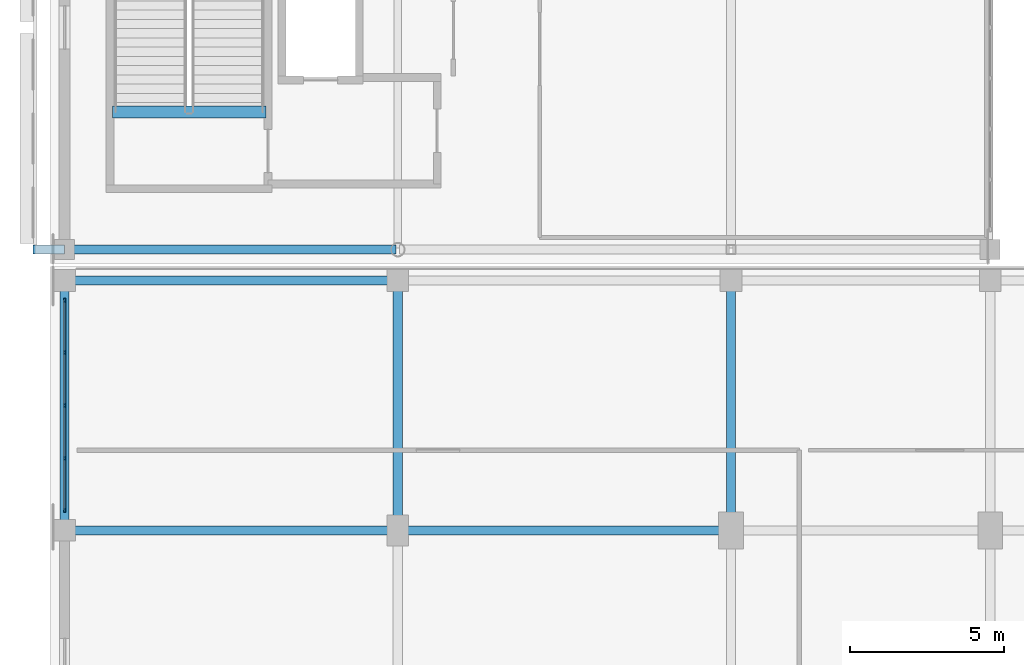
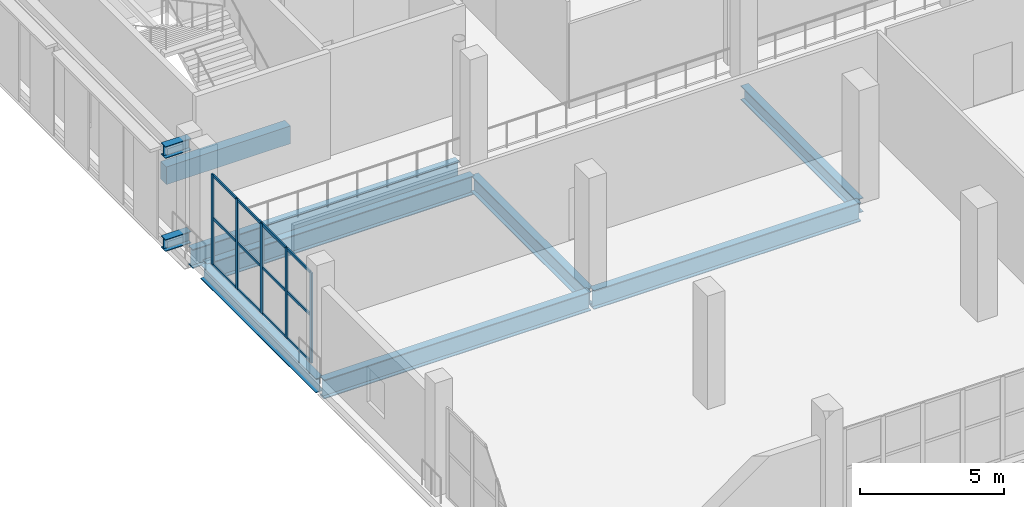
# One storey, part 13 of 104: 17 members, 10 beams, 1 element without a shape of its own.
"""IFC4 building model written with IfcOpenShell, lengths in metres."""

from ifc_helpers import new_model, si_unit, direction, frame, origin, origin_2d, place, context, subcontext, project, spatial, rectangle, i_section, extrude, material, material_profile, profile_set, type_object, element, aggregate, save


model = new_model("IFC4")

# Units and contexts
model_context = context("Model", 3, precision=1e-05, world=origin(), true_north=direction((0.0, 1.0)))
body_context = subcontext(model_context, "Body", "Model", "MODEL_VIEW")
ifc_project = project(units=[si_unit("LENGTHUNIT", "METRE"), si_unit("AREAUNIT", "SQUARE_METRE"), si_unit("VOLUMEUNIT", "CUBIC_METRE"), si_unit("PLANEANGLEUNIT", "RADIAN"), si_unit("MASSUNIT", "GRAM", prefix="KILO")], contexts=[model_context])

# Site, building, storey
site_placement = place(None, origin())
site = spatial("IfcSite", under=ifc_project, at=site_placement, CompositionType="ELEMENT")
building_placement = place(site_placement, origin())
building = spatial("IfcBuilding", under=site, at=building_placement, Name="Koshinbarg Plaza Stadium", CompositionType="ELEMENT")
storey_placement = place(building_placement, frame((0.0, 0.0, 19.800048828125)))
storey = spatial("IfcBuildingStorey", under=building, at=storey_placement, Name="L04", CompositionType="ELEMENT", Elevation=19.800048828125)

# Beams
ifc_material_1 = material(Name="Steel S355", Category="steel")
ifc_material_profile_1 = material_profile(ifc_material_1, i_section(OverallWidth=0.300048828125, OverallDepth=0.5, WebThickness=0.014404296875, FlangeThickness=0.028076171875, at=origin_2d()), Name="HEB 500")
ifc_profile_set_1 = profile_set([ifc_material_profile_1], Name="Steel S355")
beam_type_1 = type_object("IfcBeamType", Name="BM-CANOPY-CANT", PredefinedType="BEAM", material=ifc_profile_set_1)
for number, where, z_axis, x_axis, name in (
    (1, (24.60009765625, 25.5, 0.25), (-1.0, 0.0, 0.0), (0.0, -1.0, 0.0), "Outer screen cantilever outrigger W-L04-Y01"),
    (2, (24.60009765625, 25.5, 4.179931640625), (-1.0, 0.0, 0.0), (0.0, -1.0, 0.0), "Outer screen cantilever outrigger W-L04-Y01"),
):
    element("IfcBeam", number, at=place(storey_placement, frame(where, z_axis=z_axis, x_axis=x_axis)), inside=storey, type_object=beam_type_1, Name=name, PredefinedType="BEAM", context=body_context, shape_type="SweptSolid", body=[
        extrude(i_section(OverallWidth=0.300048828125, OverallDepth=0.5, WebThickness=0.014404296875, FlangeThickness=0.028076171875, at=origin_2d()), origin(), (0.0, 0.0, 1.0), 1.030029296875),
    ])
ifc_material_2 = material(Name="Concrete C40/50", Category="concrete")
ifc_material_profile_2 = material_profile(ifc_material_2, rectangle(XDim=0.39990234375, YDim=0.75, at=origin_2d()), Name="RC 400x750")
ifc_profile_set_2 = profile_set([ifc_material_profile_2], Name="Concrete C40/50")
beam_type_2 = type_object("IfcBeamType", Name="BM-RCG-03", PredefinedType="USERDEFINED", material=ifc_profile_set_2)
beam_1_placement = place(storey_placement, frame((26.14990234375, 29.9599609375, -0.375), z_axis=(1.0, 0.0, 0.0), x_axis=(0.0, 1.0, 0.0)))
element("IfcBeam", 3, at=beam_1_placement, inside=storey, type_object=beam_type_2, Name="L04 stair landing header beam C01", ObjectType="GIRDER", PredefinedType="USERDEFINED", context=body_context, shape_type="SweptSolid", body=[
    extrude(rectangle(XDim=0.39990234375, YDim=0.75, at=origin_2d()), origin(), (0.0, 0.0, 1.0), 4.97021484375),
])
ifc_material_profile_3 = material_profile(ifc_material_1, i_section(OverallWidth=0.300048828125, OverallDepth=0.60009765625, WebThickness=0.015380859375, FlangeThickness=0.030029296875, at=origin_2d()), Name="HEB 600")
ifc_profile_set_3 = profile_set([ifc_material_profile_3], Name="Steel S355")
beam_type_3 = type_object("IfcBeamType", Name="BM-SGIR-02", PredefinedType="USERDEFINED", material=ifc_profile_set_3)
for number, where, z_axis, x_axis, name in (
    (4, (24.60009765625, 16.4599609375, -0.60009765625), (0.0, 1.0, 0.0), (-1.0, 0.0, 0.0), "L04 Y girder 5/C-D"),
    (5, (46.199951171875, 16.4599609375, -0.60009765625), (0.0, 1.0, 0.0), (-1.0, 0.0, 0.0), "L04 Y girder 7/C-D"),
):
    element("IfcBeam", number, at=place(storey_placement, frame(where, z_axis=z_axis, x_axis=x_axis)), inside=storey, type_object=beam_type_3, Name=name, ObjectType="GIRDER", PredefinedType="USERDEFINED", context=body_context, shape_type="SweptSolid", body=[
        extrude(i_section(OverallWidth=0.300048828125, OverallDepth=0.60009765625, WebThickness=0.015380859375, FlangeThickness=0.030029296875, at=origin_2d()), origin(), (0.0, 0.0, 1.0), 7.97998046875),
    ])
ifc_material_profile_4 = material_profile(ifc_material_1, i_section(OverallWidth=0.300048828125, OverallDepth=0.699951171875, WebThickness=0.01708984375, FlangeThickness=0.031982421875, at=origin_2d()), Name="HEB 700")
ifc_profile_set_4 = profile_set([ifc_material_profile_4], Name="Steel S355")
beam_type_4 = type_object("IfcBeamType", Name="BM-SGIR-03", PredefinedType="USERDEFINED", material=ifc_profile_set_4)
beam_2_placement = place(storey_placement, frame((35.39990234375, 16.4599609375, -0.650146484375), z_axis=(0.0, 1.0, 0.0), x_axis=(-1.0, 0.0, 0.0)))
element("IfcBeam", 6, at=beam_2_placement, inside=storey, type_object=beam_type_4, Name="L04 Y girder 6/C-D", ObjectType="GIRDER", PredefinedType="USERDEFINED", context=body_context, shape_type="SweptSolid", body=[
    extrude(i_section(OverallWidth=0.300048828125, OverallDepth=0.699951171875, WebThickness=0.01708984375, FlangeThickness=0.031982421875, at=origin_2d()), origin(), (0.0, 0.0, 1.0), 7.97998046875),
])
ifc_material_profile_5 = material_profile(ifc_material_1, i_section(OverallWidth=0.300048828125, OverallDepth=0.800048828125, WebThickness=0.017578125, FlangeThickness=0.032958984375, at=origin_2d()), Name="HEB 800")
ifc_profile_set_5 = profile_set([ifc_material_profile_5], Name="Steel S355")
beam_type_5 = type_object("IfcBeamType", Name="BM-SGIR-04", PredefinedType="USERDEFINED", material=ifc_profile_set_5)
beam_3_placement = place(storey_placement, frame((24.659912109375, 16.39990234375, -0.699951171875), z_axis=(1.0, 0.0, 0.0), x_axis=(0.0, 1.0, 0.0)))
element("IfcBeam", 7, at=beam_3_placement, inside=storey, type_object=beam_type_5, Name="L04 X girder C/5-6", ObjectType="GIRDER", PredefinedType="USERDEFINED", context=body_context, shape_type="SweptSolid", body=[
    extrude(i_section(OverallWidth=0.300048828125, OverallDepth=0.800048828125, WebThickness=0.017578125, FlangeThickness=0.032958984375, at=origin_2d()), origin(), (0.0, 0.0, 1.0), 10.68017578125),
])
beam_4_placement = place(storey_placement, frame((35.4599609375, 16.39990234375, -0.699951171875), z_axis=(1.0, 0.0, 0.0), x_axis=(0.0, 1.0, 0.0)))
element("IfcBeam", 8, at=beam_4_placement, inside=storey, type_object=beam_type_5, Name="L04 X girder C/6-7", ObjectType="GIRDER", PredefinedType="USERDEFINED", context=body_context, shape_type="SweptSolid", body=[
    extrude(i_section(OverallWidth=0.300048828125, OverallDepth=0.800048828125, WebThickness=0.017578125, FlangeThickness=0.032958984375, at=origin_2d()), origin(), (0.0, 0.0, 1.0), 10.679931640625),
])
for number, where, z_axis, x_axis, name in (
    (9, (24.659912109375, 24.5, -0.699951171875), (1.0, 0.0, 0.0), (0.0, 1.0, 0.0), "L04 X girder D/5-6"),
    (10, (24.659912109375, 25.5, -0.699951171875), (1.0, 0.0, 0.0), (0.0, 1.0, 0.0), "L04 X girder E/5-6"),
):
    element("IfcBeam", number, at=place(storey_placement, frame(where, z_axis=z_axis, x_axis=x_axis)), inside=storey, type_object=beam_type_5, Name=name, ObjectType="GIRDER", PredefinedType="USERDEFINED", context=body_context, shape_type="SweptSolid", body=[
        extrude(i_section(OverallWidth=0.300048828125, OverallDepth=0.800048828125, WebThickness=0.017578125, FlangeThickness=0.032958984375, at=origin_2d()), origin(), (0.0, 0.0, 1.0), 10.68017578125),
    ])

# Curtain wall, members
ifc_material_3 = material(Name="Thermally broken anodised aluminium and low-E double glazing", Category="aluminium")
curtain_wall_type = type_object("IfcCurtainWallType", Name="CW-SYS-13", PredefinedType="NOTDEFINED", material=ifc_material_3)
curtain_wall_placement = place(storey_placement, origin())
curtain_wall = element("IfcCurtainWall", 11, at=curtain_wall_placement, inside=storey, type_object=curtain_wall_type, Name="L04 unitised curtain wall CW-L04-092", PredefinedType="NOTDEFINED")
ifc_material_4 = material(Name="Anodised aluminium mullion", Category="aluminium")
ifc_material_profile_6 = material_profile(ifc_material_4, rectangle(XDim=0.06005859375, YDim=0.139892578125, at=origin_2d()), Name="ALU 60x140")
ifc_profile_set_6 = profile_set([ifc_material_profile_6], Name="Anodised aluminium mullion")
member_type_1 = type_object("IfcMemberType", Name="CW-MUL-01", PredefinedType="MULLION", material=ifc_profile_set_6)
member_1_placement = place(storey_placement, frame((24.60009765625, 17.050048828125, 0.0), z_axis=(0.0, 0.0, 1.0), x_axis=(-1.0, 0.0, 0.0)))
member_1 = element("IfcMember", 12, at=member_1_placement, type_object=member_type_1, Name="CW13 mullion 1", PredefinedType="MULLION", context=body_context, shape_type="SweptSolid", body=[
    extrude(rectangle(XDim=0.06005859375, YDim=0.139892578125, at=origin_2d()), origin(), (0.0, 0.0, 1.0), 3.820068359375),
])
member_2_placement = place(storey_placement, frame((24.60009765625, 18.735107421875, 0.0), z_axis=(0.0, 0.0, 1.0), x_axis=(-1.0, 0.0, 0.0)))
member_2 = element("IfcMember", 13, at=member_2_placement, type_object=member_type_1, Name="CW13 mullion 2", PredefinedType="MULLION", context=body_context, shape_type="SweptSolid", body=[
    extrude(rectangle(XDim=0.06005859375, YDim=0.139892578125, at=origin_2d()), origin(), (0.0, 0.0, 1.0), 3.820068359375),
])
member_3_placement = place(storey_placement, frame((24.60009765625, 20.449951171875, 0.0), z_axis=(0.0, 0.0, 1.0), x_axis=(-1.0, 0.0, 0.0)))
member_3 = element("IfcMember", 14, at=member_3_placement, type_object=member_type_1, Name="CW13 mullion 3", PredefinedType="MULLION", context=body_context, shape_type="SweptSolid", body=[
    extrude(rectangle(XDim=0.06005859375, YDim=0.139892578125, at=origin_2d()), origin(), (0.0, 0.0, 1.0), 3.820068359375),
])
member_4_placement = place(storey_placement, frame((24.60009765625, 22.1650390625, 0.0), z_axis=(0.0, 0.0, 1.0), x_axis=(-1.0, 0.0, 0.0)))
member_4 = element("IfcMember", 15, at=member_4_placement, type_object=member_type_1, Name="CW13 mullion 4", PredefinedType="MULLION", context=body_context, shape_type="SweptSolid", body=[
    extrude(rectangle(XDim=0.06005859375, YDim=0.139892578125, at=origin_2d()), origin(), (0.0, 0.0, 1.0), 3.820068359375),
])
member_5_placement = place(storey_placement, frame((24.60009765625, 23.85009765625, 0.0), z_axis=(0.0, 0.0, 1.0), x_axis=(-1.0, 0.0, 0.0)))
member_5 = element("IfcMember", 16, at=member_5_placement, type_object=member_type_1, Name="CW13 mullion 5", PredefinedType="MULLION", context=body_context, shape_type="SweptSolid", body=[
    extrude(rectangle(XDim=0.06005859375, YDim=0.139892578125, at=origin_2d()), origin(), (0.0, 0.0, 1.0), 3.820068359375),
])
ifc_material_5 = material(Name="Anodised aluminium transom", Category="aluminium")
ifc_material_profile_7 = material_profile(ifc_material_5, rectangle(XDim=0.06005859375, YDim=0.110107421875, at=origin_2d()), Name="ALU 60x110")
ifc_profile_set_7 = profile_set([ifc_material_profile_7], Name="Anodised aluminium transom")
member_type_2 = type_object("IfcMemberType", Name="CW-TRN-01", PredefinedType="USERDEFINED", material=ifc_profile_set_7)
member_6_placement = place(storey_placement, frame((24.60009765625, 17.080078125, 0.030029296875), z_axis=(0.0, 1.0, 0.0), x_axis=(-1.0, 0.0, 0.0)))
member_6 = element("IfcMember", 17, at=member_6_placement, type_object=member_type_2, Name="CW13 transom 1.1", ObjectType="TRANSOM", PredefinedType="USERDEFINED", context=body_context, shape_type="SweptSolid", body=[
    extrude(rectangle(XDim=0.06005859375, YDim=0.110107421875, at=origin_2d()), origin(), (0.0, 0.0, 1.0), 1.625),
])
member_7_placement = place(storey_placement, frame((24.60009765625, 17.080078125, 1.986328125), z_axis=(0.0, 1.0, 0.0), x_axis=(-1.0, 0.0, 0.0)))
member_7 = element("IfcMember", 18, at=member_7_placement, type_object=member_type_2, Name="CW13 transom 1.2", ObjectType="TRANSOM", PredefinedType="USERDEFINED", context=body_context, shape_type="SweptSolid", body=[
    extrude(rectangle(XDim=0.06005859375, YDim=0.110107421875, at=origin_2d()), origin(), (0.0, 0.0, 1.0), 1.625),
])
member_8_placement = place(storey_placement, frame((24.60009765625, 17.080078125, 3.7900390625), z_axis=(0.0, 1.0, 0.0), x_axis=(-1.0, 0.0, 0.0)))
member_8 = element("IfcMember", 19, at=member_8_placement, type_object=member_type_2, Name="CW13 transom 1.3", ObjectType="TRANSOM", PredefinedType="USERDEFINED", context=body_context, shape_type="SweptSolid", body=[
    extrude(rectangle(XDim=0.06005859375, YDim=0.110107421875, at=origin_2d()), origin(), (0.0, 0.0, 1.0), 1.625),
])
member_9_placement = place(storey_placement, frame((24.60009765625, 18.764892578125, 0.030029296875), z_axis=(0.0, 1.0, 0.0), x_axis=(-1.0, 0.0, 0.0)))
member_9 = element("IfcMember", 20, at=member_9_placement, type_object=member_type_2, Name="CW13 transom 2.1", ObjectType="TRANSOM", PredefinedType="USERDEFINED", context=body_context, shape_type="SweptSolid", body=[
    extrude(rectangle(XDim=0.06005859375, YDim=0.110107421875, at=origin_2d()), origin(), (0.0, 0.0, 1.0), 1.655029296875),
])
member_10_placement = place(storey_placement, frame((24.60009765625, 18.764892578125, 1.986328125), z_axis=(0.0, 1.0, 0.0), x_axis=(-1.0, 0.0, 0.0)))
member_10 = element("IfcMember", 21, at=member_10_placement, type_object=member_type_2, Name="CW13 transom 2.2", ObjectType="TRANSOM", PredefinedType="USERDEFINED", context=body_context, shape_type="SweptSolid", body=[
    extrude(rectangle(XDim=0.06005859375, YDim=0.110107421875, at=origin_2d()), origin(), (0.0, 0.0, 1.0), 1.655029296875),
])
member_11_placement = place(storey_placement, frame((24.60009765625, 18.764892578125, 3.7900390625), z_axis=(0.0, 1.0, 0.0), x_axis=(-1.0, 0.0, 0.0)))
member_11 = element("IfcMember", 22, at=member_11_placement, type_object=member_type_2, Name="CW13 transom 2.3", ObjectType="TRANSOM", PredefinedType="USERDEFINED", context=body_context, shape_type="SweptSolid", body=[
    extrude(rectangle(XDim=0.06005859375, YDim=0.110107421875, at=origin_2d()), origin(), (0.0, 0.0, 1.0), 1.655029296875),
])
member_12_placement = place(storey_placement, frame((24.60009765625, 20.47998046875, 0.030029296875), z_axis=(0.0, 1.0, 0.0), x_axis=(-1.0, 0.0, 0.0)))
member_12 = element("IfcMember", 23, at=member_12_placement, type_object=member_type_2, Name="CW13 transom 3.1", ObjectType="TRANSOM", PredefinedType="USERDEFINED", context=body_context, shape_type="SweptSolid", body=[
    extrude(rectangle(XDim=0.06005859375, YDim=0.110107421875, at=origin_2d()), origin(), (0.0, 0.0, 1.0), 1.655029296875),
])
member_13_placement = place(storey_placement, frame((24.60009765625, 20.47998046875, 1.986328125), z_axis=(0.0, 1.0, 0.0), x_axis=(-1.0, 0.0, 0.0)))
member_13 = element("IfcMember", 24, at=member_13_placement, type_object=member_type_2, Name="CW13 transom 3.2", ObjectType="TRANSOM", PredefinedType="USERDEFINED", context=body_context, shape_type="SweptSolid", body=[
    extrude(rectangle(XDim=0.06005859375, YDim=0.110107421875, at=origin_2d()), origin(), (0.0, 0.0, 1.0), 1.655029296875),
])
member_14_placement = place(storey_placement, frame((24.60009765625, 20.47998046875, 3.7900390625), z_axis=(0.0, 1.0, 0.0), x_axis=(-1.0, 0.0, 0.0)))
member_14 = element("IfcMember", 25, at=member_14_placement, type_object=member_type_2, Name="CW13 transom 3.3", ObjectType="TRANSOM", PredefinedType="USERDEFINED", context=body_context, shape_type="SweptSolid", body=[
    extrude(rectangle(XDim=0.06005859375, YDim=0.110107421875, at=origin_2d()), origin(), (0.0, 0.0, 1.0), 1.655029296875),
])
member_15_placement = place(storey_placement, frame((24.60009765625, 22.195068359375, 0.030029296875), z_axis=(0.0, 1.0, 0.0), x_axis=(-1.0, 0.0, 0.0)))
member_15 = element("IfcMember", 26, at=member_15_placement, type_object=member_type_2, Name="CW13 transom 4.1", ObjectType="TRANSOM", PredefinedType="USERDEFINED", context=body_context, shape_type="SweptSolid", body=[
    extrude(rectangle(XDim=0.06005859375, YDim=0.110107421875, at=origin_2d()), origin(), (0.0, 0.0, 1.0), 1.625),
])
member_16_placement = place(storey_placement, frame((24.60009765625, 22.195068359375, 1.986328125), z_axis=(0.0, 1.0, 0.0), x_axis=(-1.0, 0.0, 0.0)))
member_16 = element("IfcMember", 27, at=member_16_placement, type_object=member_type_2, Name="CW13 transom 4.2", ObjectType="TRANSOM", PredefinedType="USERDEFINED", context=body_context, shape_type="SweptSolid", body=[
    extrude(rectangle(XDim=0.06005859375, YDim=0.110107421875, at=origin_2d()), origin(), (0.0, 0.0, 1.0), 1.625),
])
member_17_placement = place(storey_placement, frame((24.60009765625, 22.195068359375, 3.7900390625), z_axis=(0.0, 1.0, 0.0), x_axis=(-1.0, 0.0, 0.0)))
member_17 = element("IfcMember", 28, at=member_17_placement, type_object=member_type_2, Name="CW13 transom 4.3", ObjectType="TRANSOM", PredefinedType="USERDEFINED", context=body_context, shape_type="SweptSolid", body=[
    extrude(rectangle(XDim=0.06005859375, YDim=0.110107421875, at=origin_2d()), origin(), (0.0, 0.0, 1.0), 1.625),
])
aggregate(curtain_wall, [member_1, member_2, member_3, member_4, member_5, member_6, member_7, member_8, member_9, member_10, member_11, member_12, member_13, member_14, member_15, member_16, member_17])

save(model, "model.ifc")
